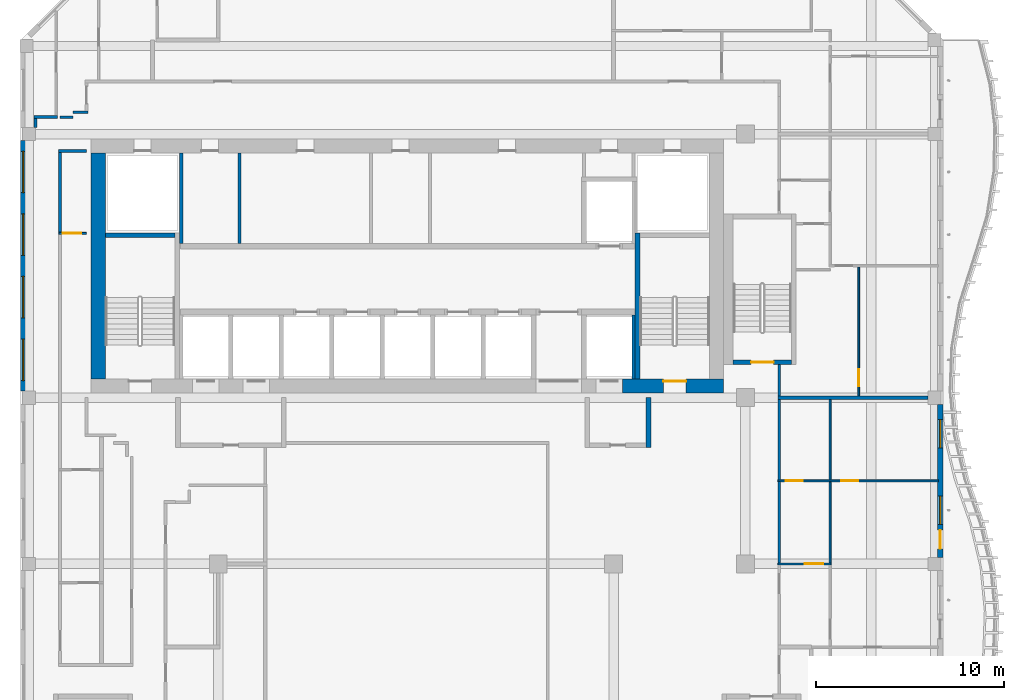
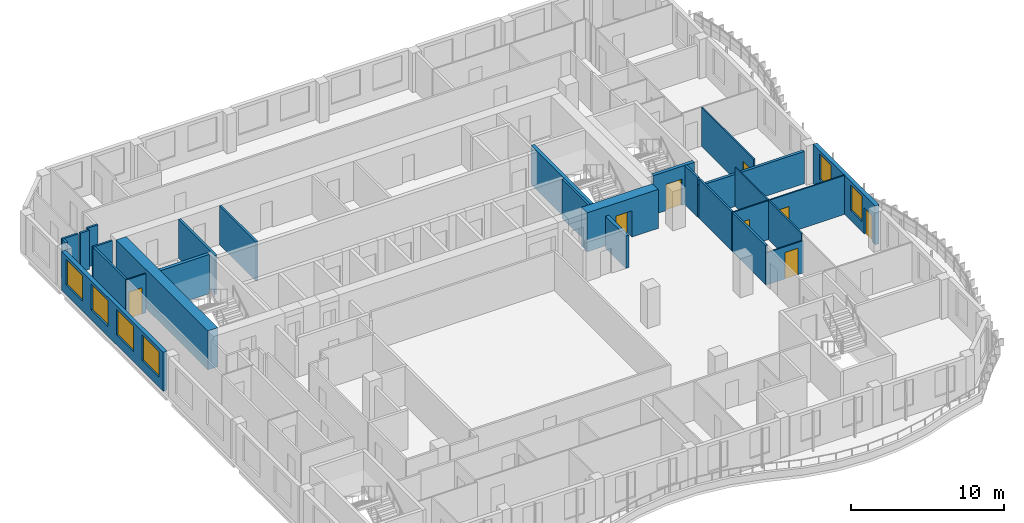
# One storey, part 6 of 19: 27 walls, 8 doors, 6 windows, 14 openings.
"""IFC4 building model written with IfcOpenShell, lengths in metres."""

import ifcopenshell
import ifcopenshell.guid

model = None  # the IFC model being written
_history = None  # IfcOwnerHistory: only IFC2X3 demands one
_inside = {}  # id of a spatial element -> (the spatial element, [elements in it])
_under = {}  # id of a project, library or spatial element -> (it, [spatial elements below it])
_declared = {}  # id of a project -> (the project, [libraries it declares])
_typed = {}  # id of a type object -> (the type object, [elements of that type])
_made_of = {}  # id of a material, layer set ... -> (it, [elements and type objects made of it])


def new_model(schema):
    """Start an empty IFC model of exactly this schema.

    Asked for "IFC4X3", IfcOpenShell would pick the latest addendum, in which some entities
    have other attributes; the version numbers below select the first issue.
    IFC2X3 requires an IfcOwnerHistory on every rooted entity: one is made here for all.
    """
    global model, _history
    if schema == "IFC4X3":
        model = ifcopenshell.file(schema_version=(4, 3, 0, 0))
    else:
        model = ifcopenshell.file(schema=schema)
    _inside.clear()
    _under.clear()
    _declared.clear()
    _typed.clear()
    _made_of.clear()
    _history = None
    if model.schema == "IFC2X3":
        org = make("IfcOrganization", Name="unknown")
        user = make(
            "IfcPersonAndOrganization",
            ThePerson=make("IfcPerson", FamilyName="unknown"),
            TheOrganization=org,
        )
        app = make(
            "IfcApplication",
            ApplicationDeveloper=org,
            Version="unknown",
            ApplicationFullName="unknown",
            ApplicationIdentifier="unknown",
        )
        _history = make(
            "IfcOwnerHistory",
            OwningUser=user,
            OwningApplication=app,
            ChangeAction="ADDED",
            CreationDate=0,
        )
    return model


def make(cls, **values):
    """One entity of the class cls with the attributes given. An attribute that is None is left unset."""
    return model.create_entity(
        cls, **{name: value for name, value in values.items() if value is not None}
    )


def rooted(cls, **values):
    """An entity with a GlobalId (a new one), such as an element, a storey or a relation."""
    return make(cls, GlobalId=ifcopenshell.guid.new(), OwnerHistory=_history, **values)


def si_unit(unit_type, name, prefix=None):
    """IfcSIUnit, for example si_unit("LENGTHUNIT", "METRE", prefix="MILLI")."""
    return make("IfcSIUnit", UnitType=unit_type, Prefix=prefix, Name=name)


def assignment(units):
    """IfcUnitAssignment: the units of a project."""
    return None if units is None else make("IfcUnitAssignment", Units=units)


def point(xyz):
    """IfcCartesianPoint."""
    return None if xyz is None else make("IfcCartesianPoint", Coordinates=xyz)


def direction(xyz):
    """IfcDirection."""
    return None if xyz is None else make("IfcDirection", DirectionRatios=xyz)


def frame(location, z_axis=None, x_axis=None):
    """IfcAxis2Placement3D, a coordinate frame: its origin and axes. An axis left out is left unset."""
    return make(
        "IfcAxis2Placement3D",
        Location=point(location),
        Axis=direction(z_axis),
        RefDirection=direction(x_axis),
    )


def frame_2d(location, x_axis=None):
    """IfcAxis2Placement2D, a coordinate frame in the plane: its origin and x axis."""
    return make(
        "IfcAxis2Placement2D", Location=point(location), RefDirection=direction(x_axis)
    )


def origin():
    """The frame at (0, 0, 0) with its axes left unset."""
    return frame((0.0, 0.0, 0.0))


def place(relative_to, where):
    """IfcLocalPlacement: puts the frame where relative to a parent placement (None: the world)."""
    return make(
        "IfcLocalPlacement", PlacementRelTo=relative_to, RelativePlacement=where
    )


def context(
    kind, dimensions, precision=None, world=None, true_north=None, identifier=None
):
    """IfcGeometricRepresentationContext, for example the 3D "Model" context."""
    return make(
        "IfcGeometricRepresentationContext",
        ContextIdentifier=identifier,
        ContextType=kind,
        CoordinateSpaceDimension=dimensions,
        Precision=precision,
        WorldCoordinateSystem=world,
        TrueNorth=true_north,
    )


def subcontext(parent, identifier, kind, view, scale=None):
    """IfcGeometricRepresentationSubContext, for example "Body" below "Model"."""
    return make(
        "IfcGeometricRepresentationSubContext",
        ContextIdentifier=identifier,
        ContextType=kind,
        ParentContext=parent,
        TargetScale=scale,
        TargetView=view,
    )


def project(units=None, contexts=None):
    """IfcProject with its units and contexts."""
    return rooted(
        "IfcProject",
        Name="project",
        RepresentationContexts=contexts,
        UnitsInContext=assignment(units),
    )


def spatial(cls, under=None, at=None, **own):
    """A site, building, storey or space (cls), placed at a placement, below another one or the project."""
    s = rooted(cls, ObjectPlacement=at, **own)
    if under is not None:
        _under.setdefault(under.id(), (under, []))[1].append(s)
    return s


def profile(cls, at=None, kind="AREA", **sizes):
    """A parametric profile (cls). Its sizes go by their IFC names, for example OverallWidth=200.0."""
    return make(cls, ProfileType=kind, Position=at, **sizes)


def rectangle(**sizes):
    """IfcRectangleProfileDef."""
    return profile("IfcRectangleProfileDef", **sizes)


def extrude(swept, where, along, depth):
    """IfcExtrudedAreaSolid: the profile swept, set in the frame where, extruded along a direction by depth."""
    return make(
        "IfcExtrudedAreaSolid",
        SweptArea=swept,
        Position=where,
        ExtrudedDirection=direction(along),
        Depth=depth,
    )


def shape(context_of_items, identifier, shape_type, items):
    """IfcShapeRepresentation: the items that make up one representation, for example the "Body"."""
    return make(
        "IfcShapeRepresentation",
        ContextOfItems=context_of_items,
        RepresentationIdentifier=identifier,
        RepresentationType=shape_type,
        Items=items,
    )


def source(mapping_origin, context_of_items, identifier, shape_type, items):
    """IfcRepresentationMap: a shape defined once, which mapped items show again and again."""
    return make(
        "IfcRepresentationMap",
        MappingOrigin=mapping_origin,
        MappedRepresentation=shape(context_of_items, identifier, shape_type, items),
    )


def transform(
    local_origin,
    x_axis=None,
    y_axis=None,
    z_axis=None,
    scale=None,
    scale2=None,
    scale3=None,
    uniform=True,
):
    """IfcCartesianTransformationOperator3D, or its non-uniform kind. x_axis, y_axis, z_axis: its Axis1, 2, 3."""
    if uniform:
        return make(
            "IfcCartesianTransformationOperator3D",
            Axis1=direction(x_axis),
            Axis2=direction(y_axis),
            LocalOrigin=point(local_origin),
            Scale=scale,
            Axis3=direction(z_axis),
        )
    return make(
        "IfcCartesianTransformationOperator3DnonUniform",
        Axis1=direction(x_axis),
        Axis2=direction(y_axis),
        LocalOrigin=point(local_origin),
        Scale=scale,
        Axis3=direction(z_axis),
        Scale2=scale2,
        Scale3=scale3,
    )


def mapped(mapping_source, mapping_target):
    """IfcMappedItem: shows the shape of a source again, moved by a transform."""
    return make(
        "IfcMappedItem", MappingSource=mapping_source, MappingTarget=mapping_target
    )


def material(Name=None, Category=None):
    """IfcMaterial."""
    return make("IfcMaterial", Name=Name, Category=Category)


def layer(
    of_material, thickness, ventilated=None, Name=None, Category=None, Priority=None
):
    """IfcMaterialLayer: one layer of a wall or slab, of a material (None: an air gap)."""
    return make(
        "IfcMaterialLayer",
        Material=of_material,
        LayerThickness=thickness,
        IsVentilated=ventilated,
        Name=Name,
        Category=Category,
        Priority=Priority,
    )


def layer_set(layers, Name=None):
    """IfcMaterialLayerSet."""
    return make("IfcMaterialLayerSet", MaterialLayers=layers, LayerSetName=Name)


def made_of(thing, what):
    """Note that an element or type object is made of a material, layer set ...; save() writes the relation."""
    if what is not None:
        _made_of.setdefault(what.id(), (what, []))[1].append(thing)
    return thing


def type_object(cls, material=None, **own):
    """A type object (cls), such as IfcWallType, which elements share."""
    return made_of(rooted(cls, **own), material)


def element(
    cls,
    number,
    at=None,
    inside=None,
    cuts=None,
    type_object=None,
    material=None,
    context=None,
    identifier="Body",
    shape_type=None,
    held_by="IfcProductDefinitionShape",
    body=None,
    shapes=None,
    **own,
):
    """One element of the class cls, such as IfcWall. Its Tag is "e" and its number.

    at: its placement. inside: the storey or other place that contains it. cuts: it is an
    opening in that element (IfcRelVoidsElement). A single representation is given by context,
    identifier, shape_type and body (its items); several are given by shapes. held_by: the class
    of the entity that holds the representations. save() writes the other relations.
    """
    e = rooted(cls, Tag="e%d" % number, ObjectPlacement=at, **own)
    if body is not None:
        shapes = [shape(context, identifier, shape_type, body)]
    if shapes is not None:
        e.Representation = make(held_by, Representations=shapes)
    if inside is not None:
        _inside.setdefault(inside.id(), (inside, []))[1].append(e)
    if cuts is not None:
        rooted(
            "IfcRelVoidsElement", RelatingBuildingElement=cuts, RelatedOpeningElement=e
        )
    if type_object is not None:
        _typed.setdefault(type_object.id(), (type_object, []))[1].append(e)
    return made_of(e, material)


def fill(opening, filler):
    """IfcRelFillsElement: the door or window that sits in an opening."""
    return rooted(
        "IfcRelFillsElement",
        RelatingOpeningElement=opening,
        RelatedBuildingElement=filler,
    )


def aggregate(whole, parts):
    """IfcRelAggregates: a whole, such as a stair, and the parts it consists of."""
    return rooted("IfcRelAggregates", RelatingObject=whole, RelatedObjects=parts)


def save(model, path):
    """Write the relations noted so far, then the file.

    IfcRelAggregates (storeys below a building ...), IfcRelContainedInSpatialStructure (elements
    in a storey), IfcRelDefinesByType, IfcRelAssociatesMaterial and IfcRelDeclares: one each for
    every whole, place, type object, material and project.
    """
    for whole, parts in _under.values():
        aggregate(whole, parts)
    for where, things in _inside.values():
        rooted(
            "IfcRelContainedInSpatialStructure",
            RelatedElements=things,
            RelatingStructure=where,
        )
    for kind, things in _typed.values():
        rooted("IfcRelDefinesByType", RelatedObjects=things, RelatingType=kind)
    for what, things in _made_of.values():
        rooted("IfcRelAssociatesMaterial", RelatedObjects=things, RelatingMaterial=what)
    for by, libraries in _declared.values():
        rooted("IfcRelDeclares", RelatingContext=by, RelatedDefinitions=libraries)
    model.write(path)


model = new_model("IFC4")

# Units and contexts
model_context = context("Model", 3, precision=1e-05, world=origin(), true_north=direction((0.0, 1.0)))
body_context = subcontext(model_context, "Body", "Model", "MODEL_VIEW")
ifc_project = project(units=[si_unit("LENGTHUNIT", "METRE"), si_unit("AREAUNIT", "SQUARE_METRE"), si_unit("VOLUMEUNIT", "CUBIC_METRE"), si_unit("PLANEANGLEUNIT", "RADIAN"), si_unit("MASSUNIT", "GRAM", prefix="KILO")], contexts=[model_context])

# Site, building, storey
site_placement = place(None, origin())
site = spatial("IfcSite", under=ifc_project, at=site_placement, CompositionType="ELEMENT")
building_placement = place(site_placement, origin())
building = spatial("IfcBuilding", under=site, at=building_placement, Name="Kilnfold Tower and Market Hall", CompositionType="ELEMENT")
storey_placement = place(building_placement, frame((0.0, 0.0, 245.800048828125)))
storey = spatial("IfcBuildingStorey", under=building, at=storey_placement, Name="L59", CompositionType="ELEMENT", Elevation=245.800048828125)

# Walls
ifc_material_1 = material(Name="Gypsum board on steel studs", Category="steel")
ifc_layer_1 = layer(ifc_material_1, 0.14990234375)
ifc_layer_set_1 = layer_set([ifc_layer_1], Name="Gypsum board on steel studs")
wall_type_1 = type_object("IfcWallType", Name="WALL CORRIDOR 150", PredefinedType="PARTITIONING", material=ifc_layer_set_1)
wall_1_placement = place(storey_placement, frame((-17.47509765625, 21.10009765625, 0.0), z_axis=(0.0, 0.0, 1.0), x_axis=(1.0, 0.0, 0.0)))
element("IfcWall", 1, at=wall_1_placement, inside=storey, type_object=wall_type_1, Name="Partition LY36.7", PredefinedType="PARTITIONING", context=body_context, shape_type="SweptSolid", body=[
    extrude(rectangle(XDim=1.47509765625, YDim=0.14990234375, at=frame_2d((0.737548828125, 0.0))), origin(), (0.0, 0.0, 1.0), 3.119873046875),
])
wall_2_placement = place(storey_placement, frame((-17.39990234375, 16.77099609375, 0.0), z_axis=(0.0, 0.0, 1.0), x_axis=(0.0, 1.0, 0.0)))
element("IfcWall", 2, at=wall_2_placement, inside=storey, type_object=wall_type_1, Name="Partition LY36.8", PredefinedType="PARTITIONING", context=body_context, shape_type="SweptSolid", body=[
    extrude(rectangle(XDim=4.25390625, YDim=0.14990234375, at=frame_2d((2.126953125, 0.0))), origin(), (0.0, 0.0, 1.0), 3.119873046875),
])
wall_3_placement = place(storey_placement, frame((20.800048828125, -0.79296875, 0.0), z_axis=(0.0, 0.0, 1.0), x_axis=(0.0, 1.0, 0.0)))
element("IfcWall", 3, at=wall_3_placement, inside=storey, type_object=wall_type_1, Name="Partition LY36.14", PredefinedType="PARTITIONING", context=body_context, shape_type="SweptSolid", body=[
    extrude(rectangle(XDim=4.3359375, YDim=0.14990234375, at=frame_2d((2.16796875, 0.0))), origin(), (0.0, 0.0, 1.0), 3.119873046875),
])
wall_4_placement = place(storey_placement, frame((20.800048828125, 3.623046875, 0.0), z_axis=(0.0, 0.0, 1.0), x_axis=(0.0, 1.0, 0.0)))
element("IfcWall", 4, at=wall_4_placement, inside=storey, type_object=wall_type_1, Name="Partition LY36.15", PredefinedType="PARTITIONING", context=body_context, shape_type="SweptSolid", body=[
    extrude(rectangle(XDim=4.286865234375, YDim=0.14990234375, at=frame_2d((2.1435546875, 0.0))), origin(), (0.0, 0.0, 1.0), 3.119873046875),
])
wall_5_placement = place(storey_placement, frame((20.800048828125, 8.090087890625, 0.0), z_axis=(0.0, 0.0, 1.0), x_axis=(0.0, 1.0, 0.0)))
element("IfcWall", 5, at=wall_5_placement, inside=storey, type_object=wall_type_1, Name="Partition LY36.16", PredefinedType="PARTITIONING", context=body_context, shape_type="SweptSolid", body=[
    extrude(rectangle(XDim=1.659912109375, YDim=0.14990234375, at=frame_2d((0.830078125, 0.0))), origin(), (0.0, 0.0, 1.0), 3.119873046875),
])
wall_6_placement = place(storey_placement, frame((-17.550048828125, 22.902099609375, 0.0), z_axis=(0.0, 0.0, 1.0), x_axis=(-1.0, 0.0, 0.0)))
element("IfcWall", 6, at=wall_6_placement, inside=storey, type_object=wall_type_1, Name="Partition LY36.22", PredefinedType="PARTITIONING", context=body_context, shape_type="SweptSolid", body=[
    extrude(rectangle(XDim=1.22705078125, YDim=0.14990234375, at=frame_2d((0.613525390625, 0.0))), origin(), (0.0, 0.0, 1.0), 3.119873046875),
])
wall_7_placement = place(storey_placement, frame((-18.701904296875, 22.826904296875, 0.0), z_axis=(0.0, 0.0, 1.0), x_axis=(0.0, -1.0, 0.0)))
element("IfcWall", 7, at=wall_7_placement, inside=storey, type_object=wall_type_1, Name="Partition LY36.23", PredefinedType="PARTITIONING", context=body_context, shape_type="SweptSolid", body=[
    extrude(rectangle(XDim=0.476806640625, YDim=0.14990234375, at=frame_2d((0.23828125, 0.0))), origin(), (0.0, 0.0, 1.0), 3.119873046875),
])
wall_8_placement = place(storey_placement, frame((-16.7119140625, 22.89990234375, 0.0), z_axis=(0.0, 0.0, 1.0), x_axis=(-1.0, 0.0, 0.0)))
element("IfcWall", 8, at=wall_8_placement, inside=storey, type_object=wall_type_1, Name="Partition LY36.24", PredefinedType="PARTITIONING", context=body_context, shape_type="SweptSolid", body=[
    extrude(rectangle(XDim=0.68603515625, YDim=0.14990234375, at=frame_2d((0.343017578125, 0.0))), origin(), (0.0, 0.0, 1.0), 3.119873046875),
])
wall_9_placement = place(storey_placement, frame((-15.925048828125, 23.1630859375, 0.0), z_axis=(0.0, 0.0, 1.0), x_axis=(-1.0, 0.0, 0.0)))
element("IfcWall", 9, at=wall_9_placement, inside=storey, type_object=wall_type_1, Name="Partition LY36.25", PredefinedType="PARTITIONING", context=body_context, shape_type="SweptSolid", body=[
    extrude(rectangle(XDim=0.786865234375, YDim=0.14990234375, at=frame_2d((0.3935546875, 0.0))), origin(), (0.0, 0.0, 1.0), 3.119873046875),
])

# Wall, opening, door
ifc_material_2 = material(Name="Gypsum board on steel studs", Category="steel")
ifc_layer_2 = layer(ifc_material_2, 0.10009765625)
ifc_layer_set_2 = layer_set([ifc_layer_2], Name="Gypsum board on steel studs")
wall_type_2 = type_object("IfcWallType", Name="WALL PARTITION 100", PredefinedType="PARTITIONING", material=ifc_layer_set_2)
wall_10_placement = place(storey_placement, frame((-16.0, 16.73095703125, 0.0), z_axis=(0.0, 0.0, 1.0), x_axis=(-1.0, 0.0, 0.0)))
wall_10 = element("IfcWall", 10, at=wall_10_placement, inside=storey, type_object=wall_type_2, Name="Partition LY36.48", PredefinedType="PARTITIONING", context=body_context, shape_type="SweptSolid", body=[
    extrude(rectangle(XDim=1.472900390625, YDim=0.10009765625, at=frame_2d((0.736328125, 0.0))), origin(), (0.0, 0.0, 1.0), 3.119873046875),
])
opening_1_placement = place(wall_10_placement, frame((0.27294921875, 0.0, 0.0)))
opening_1 = element("IfcOpeningElement", 11, at=opening_1_placement, cuts=wall_10, Name="Opening D1", PredefinedType="OPENING", context=body_context, shape_type="SweptSolid", body=[
    extrude(rectangle(XDim=1.0, YDim=2.10009765625, at=frame_2d((0.5, 1.050048828125))), frame((0.0, 0.06005859375, 0.0), z_axis=(0.0, -1.0, 0.0), x_axis=(1.0, 0.0, 0.0)), (0.0, 0.0, 1.0), 0.1201171875),
])
ifc_material_3 = material(Name="Timber veneer door leaf in steel frame", Category="steel")
door_type_1 = type_object("IfcDoorType", Name="DOOR ENTRY 1000 X2100", OperationType="NOTDEFINED", PredefinedType="DOOR", material=ifc_material_3)
door_1_placement = place(opening_1_placement, origin())
door_1 = element("IfcDoor", 12, at=door_1_placement, inside=storey, type_object=door_type_1, Name="Door D1", OperationType="SINGLE_SWING_RIGHT", OverallHeight=2.10009765625, OverallWidth=1.0, PredefinedType="DOOR", context=body_context, shape_type="SweptSolid", body=[
    extrude(rectangle(XDim=1.0, YDim=2.10009765625, at=frame_2d((0.5, 1.050048828125))), frame((0.0, 0.02490234375, 0.0), z_axis=(0.0, -1.0, 0.0), x_axis=(1.0, 0.0, 0.0)), (0.0, 0.0, 1.0), 0.050048828125),
])
fill(opening_1, door_1)

wall_11_placement = place(storey_placement, frame((23.550048828125, -0.8330078125, 0.0), z_axis=(0.0, 0.0, 1.0), x_axis=(-1.0, 0.0, 0.0)))
wall_11 = element("IfcWall", 13, at=wall_11_placement, inside=storey, type_object=wall_type_2, Name="Partition LY36.70", PredefinedType="PARTITIONING", context=body_context, shape_type="SweptSolid", body=[
    extrude(rectangle(XDim=2.822998046875, YDim=0.10009765625, at=frame_2d((1.41162109375, 0.0))), origin(), (0.0, 0.0, 1.0), 2.570068359375),
])
opening_2_placement = place(wall_11_placement, frame((0.403076171875, 0.0, 0.0)))
opening_2 = element("IfcOpeningElement", 14, at=opening_2_placement, cuts=wall_11, Name="Opening D1", PredefinedType="OPENING", context=body_context, shape_type="SweptSolid", body=[
    extrude(rectangle(XDim=1.0, YDim=2.10009765625, at=frame_2d((0.5, 1.050048828125))), frame((0.0, 0.06005859375, 0.0), z_axis=(0.0, -1.0, 0.0), x_axis=(1.0, 0.0, 0.0)), (0.0, 0.0, 1.0), 0.1201171875),
])
door_2_placement = place(opening_2_placement, origin())
door_2 = element("IfcDoor", 15, at=door_2_placement, inside=storey, type_object=door_type_1, Name="Door D1", OperationType="SINGLE_SWING_LEFT", OverallHeight=2.10009765625, OverallWidth=1.0, PredefinedType="DOOR", context=body_context, shape_type="SweptSolid", body=[
    extrude(rectangle(XDim=1.0, YDim=2.10009765625, at=frame_2d((0.5, 1.050048828125))), frame((0.0, 0.02490234375, 0.0), z_axis=(0.0, -1.0, 0.0), x_axis=(1.0, 0.0, 0.0)), (0.0, 0.0, 1.0), 0.050048828125),
])
fill(opening_2, door_2)

# Wall, openings, doors
wall_12_placement = place(storey_placement, frame((20.72705078125, 3.5830078125, 0.0), z_axis=(0.0, 0.0, 1.0), x_axis=(1.0, 0.0, 0.0)))
wall_12 = element("IfcWall", 16, at=wall_12_placement, inside=storey, type_object=wall_type_2, Name="Partition LY36.72", PredefinedType="PARTITIONING", context=body_context, shape_type="SweptSolid", body=[
    extrude(rectangle(XDim=8.52294921875, YDim=0.10009765625, at=frame_2d((4.261474609375, 0.0))), origin(), (0.0, 0.0, 1.0), 3.119873046875),
])
opening_3_placement = place(wall_12_placement, frame((0.409912109375, 0.0, 0.0)))
opening_3 = element("IfcOpeningElement", 17, at=opening_3_placement, cuts=wall_12, Name="Opening D2", PredefinedType="OPENING", context=body_context, shape_type="SweptSolid", body=[
    extrude(rectangle(XDim=0.89990234375, YDim=2.10009765625, at=frame_2d((0.449951171875, 1.050048828125))), frame((0.0, 0.06005859375, 0.0), z_axis=(0.0, -1.0, 0.0), x_axis=(1.0, 0.0, 0.0)), (0.0, 0.0, 1.0), 0.1201171875),
])
opening_4_placement = place(wall_12_placement, frame((3.37890625, 0.0, 0.0)))
opening_4 = element("IfcOpeningElement", 18, at=opening_4_placement, cuts=wall_12, Name="Opening D2", PredefinedType="OPENING", context=body_context, shape_type="SweptSolid", body=[
    extrude(rectangle(XDim=0.89990234375, YDim=2.10009765625, at=frame_2d((0.449951171875, 1.050048828125))), frame((0.0, 0.06005859375, 0.0), z_axis=(0.0, -1.0, 0.0), x_axis=(1.0, 0.0, 0.0)), (0.0, 0.0, 1.0), 0.1201171875),
])
ifc_material_4 = material(Name="Timber veneer door leaf in steel frame", Category="steel")
door_type_2 = type_object("IfcDoorType", Name="DOOR ROOM 900 X2100", OperationType="NOTDEFINED", PredefinedType="DOOR", material=ifc_material_4)
door_3_placement = place(opening_3_placement, origin())
door_3 = element("IfcDoor", 19, at=door_3_placement, inside=storey, type_object=door_type_2, Name="Door D2", OperationType="SINGLE_SWING_LEFT", OverallHeight=2.10009765625, OverallWidth=0.89990234375, PredefinedType="DOOR", context=body_context, shape_type="SweptSolid", body=[
    extrude(rectangle(XDim=0.89990234375, YDim=2.10009765625, at=frame_2d((0.449951171875, 1.050048828125))), frame((0.0, 0.02490234375, 0.0), z_axis=(0.0, -1.0, 0.0), x_axis=(1.0, 0.0, 0.0)), (0.0, 0.0, 1.0), 0.050048828125),
])
fill(opening_3, door_3)
door_4_placement = place(opening_4_placement, origin())
door_4 = element("IfcDoor", 20, at=door_4_placement, inside=storey, type_object=door_type_2, Name="Door D2", OperationType="SINGLE_SWING_LEFT", OverallHeight=2.10009765625, OverallWidth=0.89990234375, PredefinedType="DOOR", context=body_context, shape_type="SweptSolid", body=[
    extrude(rectangle(XDim=0.89990234375, YDim=2.10009765625, at=frame_2d((0.449951171875, 1.050048828125))), frame((0.0, 0.02490234375, 0.0), z_axis=(0.0, -1.0, 0.0), x_axis=(1.0, 0.0, 0.0)), (0.0, 0.0, 1.0), 0.050048828125),
])
fill(opening_4, door_4)

# Walls
wall_13_placement = place(storey_placement, frame((23.5, -0.782958984375, 0.0), z_axis=(0.0, 0.0, 1.0), x_axis=(0.0, 1.0, 0.0)))
element("IfcWall", 21, at=wall_13_placement, inside=storey, type_object=wall_type_2, Name="Partition LY36.73", PredefinedType="PARTITIONING", context=body_context, shape_type="SweptSolid", body=[
    extrude(rectangle(XDim=4.31591796875, YDim=0.10009765625, at=frame_2d((2.157958984375, 0.0))), origin(), (0.0, 0.0, 1.0), 3.119873046875),
])
wall_14_placement = place(storey_placement, frame((23.5, 3.633056640625, 0.0), z_axis=(0.0, 0.0, 1.0), x_axis=(0.0, 1.0, 0.0)))
element("IfcWall", 22, at=wall_14_placement, inside=storey, type_object=wall_type_2, Name="Partition LY36.74", PredefinedType="PARTITIONING", context=body_context, shape_type="SweptSolid", body=[
    extrude(rectangle(XDim=4.266845703125, YDim=0.10009765625, at=frame_2d((2.13330078125, 0.0))), origin(), (0.0, 0.0, 1.0), 3.119873046875),
])

# Wall, opening, door
wall_15_placement = place(storey_placement, frame((25.02587890625, 8.10009765625, 0.0), z_axis=(0.0, 0.0, 1.0), x_axis=(0.0, 1.0, 0.0)))
wall_15 = element("IfcWall", 23, at=wall_15_placement, inside=storey, type_object=wall_type_2, Name="Partition LY36.76", PredefinedType="PARTITIONING", context=body_context, shape_type="SweptSolid", body=[
    extrude(rectangle(XDim=6.849853515625, YDim=0.10009765625, at=frame_2d((3.4248046875, 0.0))), origin(), (0.0, 0.0, 1.0), 3.119873046875),
])
opening_5_placement = place(wall_15_placement, frame((0.5029296875, 0.0, 0.0)))
opening_5 = element("IfcOpeningElement", 24, at=opening_5_placement, cuts=wall_15, Name="Opening D2", PredefinedType="OPENING", context=body_context, shape_type="SweptSolid", body=[
    extrude(rectangle(XDim=0.89990234375, YDim=2.10009765625, at=frame_2d((0.449951171875, 1.050048828125))), frame((0.0, 0.06005859375, 0.0), z_axis=(0.0, -1.0, 0.0), x_axis=(1.0, 0.0, 0.0)), (0.0, 0.0, 1.0), 0.1201171875),
])
door_5_placement = place(opening_5_placement, origin())
door_5 = element("IfcDoor", 25, at=door_5_placement, inside=storey, type_object=door_type_2, Name="Door D2", OperationType="SINGLE_SWING_RIGHT", OverallHeight=2.10009765625, OverallWidth=0.89990234375, PredefinedType="DOOR", context=body_context, shape_type="SweptSolid", body=[
    extrude(rectangle(XDim=0.89990234375, YDim=2.10009765625, at=frame_2d((0.449951171875, 1.050048828125))), frame((0.0, 0.02490234375, 0.0), z_axis=(0.0, -1.0, 0.0), x_axis=(1.0, 0.0, 0.0)), (0.0, 0.0, 1.0), 0.050048828125),
])
fill(opening_5, door_5)

# Walls
ifc_material_5 = material(Name="Gypsum board on steel studs", Category="steel")
ifc_layer_3 = layer(ifc_material_5, 0.199951171875)
ifc_layer_set_3 = layer_set([ifc_layer_3], Name="Gypsum board on steel studs")
wall_type_3 = type_object("IfcWallType", Name="WALL PARTY 200", PredefinedType="PARTITIONING", material=ifc_layer_set_3)
wall_16_placement = place(storey_placement, frame((20.72705078125, 8.0, 0.0), z_axis=(0.0, 0.0, 1.0), x_axis=(1.0, 0.0, 0.0)))
element("IfcWall", 26, at=wall_16_placement, inside=storey, type_object=wall_type_3, Name="Partition LY36.75", PredefinedType="PARTITIONING", context=body_context, shape_type="SweptSolid", body=[
    extrude(rectangle(XDim=7.972900390625, YDim=0.199951171875, at=frame_2d((3.986328125, 0.0))), origin(), (0.0, 0.0, 1.0), 2.570068359375),
])
ifc_material_6 = material(Name="Concrete C60", Category="concrete")
ifc_layer_4 = layer(ifc_material_6, 0.25)
ifc_layer_set_4 = layer_set([ifc_layer_4], Name="Concrete C60")
wall_type_4 = type_object("IfcWallType", Name="CORE WALL 250 C60", PredefinedType="SHEAR", material=ifc_layer_set_4)
shared_shape_1 = source(origin(), body_context, "Body", "SweptSolid", [
    extrude(rectangle(XDim=7.75, YDim=0.25, at=frame_2d((3.875, 0.0))), origin(), (0.0, 0.0, 1.0), 3.119873046875),
])
wall_17_placement = place(storey_placement, frame((13.27490234375, 9.0, 0.0), z_axis=(0.0, 0.0, 1.0), x_axis=(0.0, 1.0, 0.0)))
element("IfcWall", 27, at=wall_17_placement, inside=storey, type_object=wall_type_4, Name="Stair enclosure ST2", PredefinedType="SHEAR", context=body_context, shape_type="MappedRepresentation", body=[
    mapped(shared_shape_1, transform((0.0, 0.0, 0.0))),
])
shared_shape_2 = source(origin(), body_context, "Body", "SweptSolid", [
    extrude(rectangle(XDim=3.699951171875, YDim=0.25, at=frame_2d((1.85009765625, 0.0))), origin(), (0.0, 0.0, 1.0), 3.119873046875),
])
wall_18_placement = place(storey_placement, frame((-15.0, 16.625, 0.0), z_axis=(0.0, 0.0, 1.0), x_axis=(1.0, 0.0, 0.0)))
element("IfcWall", 28, at=wall_18_placement, inside=storey, type_object=wall_type_4, Name="Stair enclosure ST1", PredefinedType="SHEAR", context=body_context, shape_type="MappedRepresentation", body=[
    mapped(shared_shape_2, transform((0.0, 0.0, 0.0))),
])

# Wall, opening, door
shared_shape_3 = source(origin(), body_context, "Body", "SweptSolid", [
    extrude(rectangle(XDim=3.099853515625, YDim=0.25, at=frame_2d((1.5498046875, 0.0))), origin(), (0.0, 0.0, 1.0), 3.119873046875),
])
wall_19_placement = place(storey_placement, frame((18.35009765625, 9.875, 0.0), z_axis=(0.0, 0.0, 1.0), x_axis=(1.0, 0.0, 0.0)))
wall_19 = element("IfcWall", 29, at=wall_19_placement, inside=storey, type_object=wall_type_4, Name="Stair enclosure ST5", PredefinedType="SHEAR", context=body_context, shape_type="MappedRepresentation", body=[
    mapped(shared_shape_3, transform((0.0, 0.0, 0.0))),
])
opening_6_placement = place(wall_19_placement, frame((0.949951171875, 0.0, 0.0)))
opening_6 = element("IfcOpeningElement", 30, at=opening_6_placement, cuts=wall_19, Name="Opening SD1", PredefinedType="OPENING", context=body_context, shape_type="SweptSolid", body=[
    extrude(rectangle(XDim=1.199951171875, YDim=2.10009765625, at=frame_2d((0.60009765625, 1.050048828125))), frame((0.0, 0.135009765625, 0.0), z_axis=(0.0, -1.0, 0.0), x_axis=(1.0, 0.0, 0.0)), (0.0, 0.0, 1.0), 0.27001953125),
])
ifc_material_7 = material(Name="Steel door set with fire-resisting leaf", Category="steel")
door_type_3 = type_object("IfcDoorType", Name="STAIR FLOOR DOOR 1200X2100", OperationType="NOTDEFINED", PredefinedType="DOOR", material=ifc_material_7)
door_6_placement = place(opening_6_placement, origin())
door_6 = element("IfcDoor", 31, at=door_6_placement, inside=storey, type_object=door_type_3, Name="Exit stair ST5 door", OperationType="DOUBLE_DOOR_SINGLE_SWING", OverallHeight=2.10009765625, OverallWidth=1.199951171875, PredefinedType="DOOR", context=body_context, shape_type="SweptSolid", body=[
    extrude(rectangle(XDim=1.199951171875, YDim=2.10009765625, at=frame_2d((0.60009765625, 1.050048828125))), frame((0.0, 0.02490234375, 0.0), z_axis=(0.0, -1.0, 0.0), x_axis=(1.0, 0.0, 0.0)), (0.0, 0.0, 1.0), 0.050048828125),
])
fill(opening_6, door_6)

ifc_material_8 = material(Name="Concrete C60", Category="concrete")
ifc_layer_5 = layer(ifc_material_8, 0.75)
ifc_layer_set_5 = layer_set([ifc_layer_5], Name="Concrete C60")
wall_type_5 = type_object("IfcWallType", Name="CORE WALL 750 C60", PredefinedType="SHEAR", material=ifc_layer_set_5)
shared_shape_4 = source(origin(), body_context, "Body", "SweptSolid", [
    extrude(rectangle(XDim=5.380126953125, YDim=0.75, at=frame_2d((2.68994140625, 0.0))), origin(), (0.0, 0.0, 1.0), 3.119873046875),
])
wall_20_placement = place(storey_placement, frame((12.469970703125, 8.625, 0.0), z_axis=(0.0, 0.0, 1.0), x_axis=(1.0, 0.0, 0.0)))
wall_20 = element("IfcWall", 32, at=wall_20_placement, inside=storey, type_object=wall_type_5, Name="Core outer wall south", PredefinedType="SHEAR", context=body_context, shape_type="MappedRepresentation", body=[
    mapped(shared_shape_4, transform((0.0, 0.0, 0.0))),
])
opening_7_placement = place(wall_20_placement, frame((2.179931640625, 0.0, 0.0)))
opening_7 = element("IfcOpeningElement", 33, at=opening_7_placement, cuts=wall_20, Name="Opening SD1", PredefinedType="OPENING", context=body_context, shape_type="SweptSolid", body=[
    extrude(rectangle(XDim=1.199951171875, YDim=2.10009765625, at=frame_2d((0.60009765625, 1.050048828125))), frame((0.0, 0.385009765625, 0.0), z_axis=(0.0, -1.0, 0.0), x_axis=(1.0, 0.0, 0.0)), (0.0, 0.0, 1.0), 0.77001953125),
])
door_7_placement = place(opening_7_placement, origin())
door_7 = element("IfcDoor", 34, at=door_7_placement, inside=storey, type_object=door_type_3, Name="Exit stair ST2 door", OperationType="DOUBLE_DOOR_SINGLE_SWING", OverallHeight=2.10009765625, OverallWidth=1.199951171875, PredefinedType="DOOR", context=body_context, shape_type="SweptSolid", body=[
    extrude(rectangle(XDim=1.199951171875, YDim=2.10009765625, at=frame_2d((0.60009765625, 1.050048828125))), frame((0.0, 0.27978515625, 0.0), z_axis=(0.0, -1.0, 0.0), x_axis=(1.0, 0.0, 0.0)), (0.0, 0.0, 1.0), 0.050048828125),
])
fill(opening_7, door_7)

# Wall
shared_shape_5 = source(origin(), body_context, "Body", "SweptSolid", [
    extrude(rectangle(XDim=12.0, YDim=0.75, at=frame_2d((6.0, 0.0))), origin(), (0.0, 0.0, 1.0), 3.119873046875),
])
wall_21_placement = place(storey_placement, frame((-15.375, 9.0, 0.0), z_axis=(0.0, 0.0, 1.0), x_axis=(0.0, 1.0, 0.0)))
element("IfcWall", 35, at=wall_21_placement, inside=storey, type_object=wall_type_5, Name="Core outer wall west", PredefinedType="SHEAR", context=body_context, shape_type="MappedRepresentation", body=[
    mapped(shared_shape_5, transform((0.0, 0.0, 0.0))),
])

# Wall, openings, door, windows
ifc_material_9 = material(Name="Precast concrete C50/60", Category="concrete")
ifc_layer_6 = layer(ifc_material_9, 0.300048828125)
ifc_layer_set_6 = layer_set([ifc_layer_6], Name="Precast concrete C50/60")
wall_type_6 = type_object("IfcWallType", Name="PRECAST WALL 300", PredefinedType="SOLIDWALL", material=ifc_layer_set_6)
shared_shape_6 = source(origin(), body_context, "Body", "SweptSolid", [
    extrude(rectangle(XDim=8.13330078125, YDim=0.300048828125, at=frame_2d((4.066650390625, 0.0))), origin(), (0.0, 0.0, 1.0), 3.119873046875),
])
wall_22_placement = place(storey_placement, frame((29.35009765625, -0.4833984375, 0.0), z_axis=(0.0, 0.0, 1.0), x_axis=(0.0, 1.0, 0.0)))
wall_22 = element("IfcWall", 36, at=wall_22_placement, inside=storey, type_object=wall_type_6, Name="External wall L59 E", PredefinedType="SOLIDWALL", context=body_context, shape_type="MappedRepresentation", body=[
    mapped(shared_shape_6, transform((0.0, 0.0, 0.0))),
])
opening_8_placement = place(wall_22_placement, frame((1.75, 0.0, 0.800048828125)))
opening_8 = element("IfcOpeningElement", 37, at=opening_8_placement, cuts=wall_22, Name="Opening W5", PredefinedType="OPENING", context=body_context, shape_type="SweptSolid", body=[
    extrude(rectangle(XDim=1.5, YDim=2.050048828125, at=frame_2d((0.75, 1.02490234375))), frame((0.0, 0.16015625, 0.0), z_axis=(0.0, -1.0, 0.0), x_axis=(1.0, 0.0, 0.0)), (0.0, 0.0, 1.0), 0.320068359375),
])
opening_9_placement = place(wall_22_placement, frame((0.449951171875, 0.0, 0.0)))
opening_9 = element("IfcOpeningElement", 38, at=opening_9_placement, cuts=wall_22, Name="Opening BD1", PredefinedType="OPENING", context=body_context, shape_type="SweptSolid", body=[
    extrude(rectangle(XDim=1.0, YDim=2.10009765625, at=frame_2d((0.5, 1.050048828125))), frame((0.0, 0.16015625, 0.0), z_axis=(0.0, -1.0, 0.0), x_axis=(1.0, 0.0, 0.0)), (0.0, 0.0, 1.0), 0.320068359375),
])
opening_10_placement = place(wall_22_placement, frame((5.816650390625, 0.0, 0.800048828125)))
opening_10 = element("IfcOpeningElement", 39, at=opening_10_placement, cuts=wall_22, Name="Opening W5", PredefinedType="OPENING", context=body_context, shape_type="SweptSolid", body=[
    extrude(rectangle(XDim=1.5, YDim=2.050048828125, at=frame_2d((0.75, 1.02490234375))), frame((0.0, 0.16015625, 0.0), z_axis=(0.0, -1.0, 0.0), x_axis=(1.0, 0.0, 0.0)), (0.0, 0.0, 1.0), 0.320068359375),
])
ifc_material_10 = material(Name="Aluminium frame and double glazing", Category="aluminium")
door_type_4 = type_object("IfcDoorType", Name="BALCONY DOOR 1000X2100", OperationType="NOTDEFINED", PredefinedType="DOOR", material=ifc_material_10)
door_8_placement = place(opening_9_placement, origin())
door_8 = element("IfcDoor", 40, at=door_8_placement, inside=storey, type_object=door_type_4, Name="Balcony door BD1 L59 E-1", OperationType="SINGLE_SWING_LEFT", OverallHeight=2.10009765625, OverallWidth=1.0, PredefinedType="DOOR", context=body_context, shape_type="SweptSolid", body=[
    extrude(rectangle(XDim=1.0, YDim=2.10009765625, at=frame_2d((0.5, 1.050048828125))), frame((0.0, 0.02490234375, 0.0), z_axis=(0.0, -1.0, 0.0), x_axis=(1.0, 0.0, 0.0)), (0.0, 0.0, 1.0), 0.050048828125),
])
fill(opening_9, door_8)
ifc_material_11 = material(Name="Aluminium frame and double glazing", Category="aluminium")
window_type_1 = type_object("IfcWindowType", Name="WINDOW W5 1500X2050", PartitioningType="SINGLE_PANEL", PredefinedType="WINDOW", material=ifc_material_11)
window_1_placement = place(opening_8_placement, origin())
window_1 = element("IfcWindow", 41, at=window_1_placement, inside=storey, type_object=window_type_1, Name="Window W5 L59 E-1", OverallHeight=2.050048828125, OverallWidth=1.5, PartitioningType="SINGLE_PANEL", PredefinedType="WINDOW", context=body_context, shape_type="SweptSolid", body=[
    extrude(rectangle(XDim=1.5, YDim=2.050048828125, at=frame_2d((0.75, 1.02490234375))), frame((0.0, 0.030029296875, 0.0), z_axis=(0.0, -1.0, 0.0), x_axis=(1.0, 0.0, 0.0)), (0.0, 0.0, 1.0), 0.06005859375),
])
fill(opening_8, window_1)
window_2_placement = place(opening_10_placement, origin())
window_2 = element("IfcWindow", 42, at=window_2_placement, inside=storey, type_object=window_type_1, Name="Window W5 L59 E-2", OverallHeight=2.050048828125, OverallWidth=1.5, PartitioningType="SINGLE_PANEL", PredefinedType="WINDOW", context=body_context, shape_type="SweptSolid", body=[
    extrude(rectangle(XDim=1.5, YDim=2.050048828125, at=frame_2d((0.75, 1.02490234375))), frame((0.0, 0.030029296875, 0.0), z_axis=(0.0, -1.0, 0.0), x_axis=(1.0, 0.0, 0.0)), (0.0, 0.0, 1.0), 0.06005859375),
])
fill(opening_10, window_2)

# Wall, openings, windows
shared_shape_7 = source(origin(), body_context, "Body", "SweptSolid", [
    extrude(rectangle(XDim=13.2998046875, YDim=0.300048828125, at=frame_2d((6.64990234375, 0.0))), origin(), (0.0, 0.0, 1.0), 3.119873046875),
])
wall_23_placement = place(storey_placement, frame((-19.35009765625, 21.64990234375, 0.0), z_axis=(0.0, 0.0, 1.0), x_axis=(0.0, -1.0, 0.0)))
wall_23 = element("IfcWall", 43, at=wall_23_placement, inside=storey, type_object=wall_type_6, Name="External wall L59 W", PredefinedType="SOLIDWALL", context=body_context, shape_type="MappedRepresentation", body=[
    mapped(shared_shape_7, transform((0.0, 0.0, 0.0))),
])
opening_11_placement = place(wall_23_placement, frame((0.5625, 0.0, 0.800048828125)))
opening_11 = element("IfcOpeningElement", 44, at=opening_11_placement, cuts=wall_23, Name="Opening W3", PredefinedType="OPENING", context=body_context, shape_type="SweptSolid", body=[
    extrude(rectangle(XDim=2.199951171875, YDim=2.050048828125, at=frame_2d((1.10009765625, 1.02490234375))), frame((0.0, 0.16015625, 0.0), z_axis=(0.0, -1.0, 0.0), x_axis=(1.0, 0.0, 0.0)), (0.0, 0.0, 1.0), 0.320068359375),
])
opening_12_placement = place(wall_23_placement, frame((3.887451171875, 0.0, 0.800048828125)))
opening_12 = element("IfcOpeningElement", 45, at=opening_12_placement, cuts=wall_23, Name="Opening W3", PredefinedType="OPENING", context=body_context, shape_type="SweptSolid", body=[
    extrude(rectangle(XDim=2.199951171875, YDim=2.050048828125, at=frame_2d((1.10009765625, 1.02490234375))), frame((0.0, 0.16015625, 0.0), z_axis=(0.0, -1.0, 0.0), x_axis=(1.0, 0.0, 0.0)), (0.0, 0.0, 1.0), 0.320068359375),
])
opening_13_placement = place(wall_23_placement, frame((7.21240234375, 0.0, 0.800048828125)))
opening_13 = element("IfcOpeningElement", 46, at=opening_13_placement, cuts=wall_23, Name="Opening W3", PredefinedType="OPENING", context=body_context, shape_type="SweptSolid", body=[
    extrude(rectangle(XDim=2.199951171875, YDim=2.050048828125, at=frame_2d((1.10009765625, 1.02490234375))), frame((0.0, 0.16015625, 0.0), z_axis=(0.0, -1.0, 0.0), x_axis=(1.0, 0.0, 0.0)), (0.0, 0.0, 1.0), 0.320068359375),
])
opening_14_placement = place(wall_23_placement, frame((10.53759765625, 0.0, 0.800048828125)))
opening_14 = element("IfcOpeningElement", 47, at=opening_14_placement, cuts=wall_23, Name="Opening W3", PredefinedType="OPENING", context=body_context, shape_type="SweptSolid", body=[
    extrude(rectangle(XDim=2.199951171875, YDim=2.050048828125, at=frame_2d((1.10009765625, 1.02490234375))), frame((0.0, 0.16015625, 0.0), z_axis=(0.0, -1.0, 0.0), x_axis=(1.0, 0.0, 0.0)), (0.0, 0.0, 1.0), 0.320068359375),
])
ifc_material_12 = material(Name="Aluminium frame and double glazing", Category="aluminium")
window_type_2 = type_object("IfcWindowType", Name="WINDOW W3 2200X2050", PartitioningType="SINGLE_PANEL", PredefinedType="WINDOW", material=ifc_material_12)
window_3_placement = place(opening_11_placement, origin())
window_3 = element("IfcWindow", 48, at=window_3_placement, inside=storey, type_object=window_type_2, Name="Window W3 L59 W-1", OverallHeight=2.050048828125, OverallWidth=2.199951171875, PartitioningType="SINGLE_PANEL", PredefinedType="WINDOW", context=body_context, shape_type="SweptSolid", body=[
    extrude(rectangle(XDim=2.199951171875, YDim=2.050048828125, at=frame_2d((1.10009765625, 1.02490234375))), frame((0.0, 0.030029296875, 0.0), z_axis=(0.0, -1.0, 0.0), x_axis=(1.0, 0.0, 0.0)), (0.0, 0.0, 1.0), 0.06005859375),
])
fill(opening_11, window_3)
window_4_placement = place(opening_12_placement, origin())
window_4 = element("IfcWindow", 49, at=window_4_placement, inside=storey, type_object=window_type_2, Name="Window W3 L59 W-2", OverallHeight=2.050048828125, OverallWidth=2.199951171875, PartitioningType="SINGLE_PANEL", PredefinedType="WINDOW", context=body_context, shape_type="SweptSolid", body=[
    extrude(rectangle(XDim=2.199951171875, YDim=2.050048828125, at=frame_2d((1.10009765625, 1.02490234375))), frame((0.0, 0.030029296875, 0.0), z_axis=(0.0, -1.0, 0.0), x_axis=(1.0, 0.0, 0.0)), (0.0, 0.0, 1.0), 0.06005859375),
])
fill(opening_12, window_4)
window_5_placement = place(opening_13_placement, origin())
window_5 = element("IfcWindow", 50, at=window_5_placement, inside=storey, type_object=window_type_2, Name="Window W3 L59 W-3", OverallHeight=2.050048828125, OverallWidth=2.199951171875, PartitioningType="SINGLE_PANEL", PredefinedType="WINDOW", context=body_context, shape_type="SweptSolid", body=[
    extrude(rectangle(XDim=2.199951171875, YDim=2.050048828125, at=frame_2d((1.10009765625, 1.02490234375))), frame((0.0, 0.030029296875, 0.0), z_axis=(0.0, -1.0, 0.0), x_axis=(1.0, 0.0, 0.0)), (0.0, 0.0, 1.0), 0.06005859375),
])
fill(opening_13, window_5)
window_6_placement = place(opening_14_placement, origin())
window_6 = element("IfcWindow", 51, at=window_6_placement, inside=storey, type_object=window_type_2, Name="Window W3 L59 W-4", OverallHeight=2.050048828125, OverallWidth=2.199951171875, PartitioningType="SINGLE_PANEL", PredefinedType="WINDOW", context=body_context, shape_type="SweptSolid", body=[
    extrude(rectangle(XDim=2.199951171875, YDim=2.050048828125, at=frame_2d((1.10009765625, 1.02490234375))), frame((0.0, 0.030029296875, 0.0), z_axis=(0.0, -1.0, 0.0), x_axis=(1.0, 0.0, 0.0)), (0.0, 0.0, 1.0), 0.06005859375),
])
fill(opening_14, window_6)

# Walls
ifc_material_13 = material(Name="Gypsum shaft wall system")
ifc_layer_7 = layer(ifc_material_13, 0.1650390625)
ifc_layer_set_7 = layer_set([ifc_layer_7], Name="Gypsum shaft wall system")
wall_type_7 = type_object("IfcWallType", Name="SHAFT WALL 165", PredefinedType="PARTITIONING", material=ifc_layer_set_7)
shared_shape_8 = source(origin(), body_context, "Body", "SweptSolid", [
    extrude(rectangle(XDim=4.800048828125, YDim=0.1650390625, at=frame_2d((2.39990234375, 0.0))), origin(), (0.0, 0.0, 1.0), 3.119873046875),
])
wall_24_placement = place(storey_placement, frame((-10.967529296875, 16.199951171875, 0.0), z_axis=(0.0, 0.0, 1.0), x_axis=(0.0, 1.0, 0.0)))
element("IfcWall", 52, at=wall_24_placement, inside=storey, type_object=wall_type_7, Name="Lift shaft wall", PredefinedType="PARTITIONING", context=body_context, shape_type="MappedRepresentation", body=[
    mapped(shared_shape_8, transform((0.0, 0.0, 0.0))),
])
shared_shape_9 = source(origin(), body_context, "Body", "SweptSolid", [
    extrude(rectangle(XDim=3.39990234375, YDim=0.1650390625, at=frame_2d((1.699951171875, 0.0))), origin(), (0.0, 0.0, 1.0), 3.119873046875),
])
wall_25_placement = place(storey_placement, frame((13.0673828125, 9.0, 0.0), z_axis=(0.0, 0.0, 1.0), x_axis=(0.0, 1.0, 0.0)))
element("IfcWall", 53, at=wall_25_placement, inside=storey, type_object=wall_type_7, Name="Lift shaft wall", PredefinedType="PARTITIONING", context=body_context, shape_type="MappedRepresentation", body=[
    mapped(shared_shape_9, transform((0.0, 0.0, 0.0))),
])
ifc_material_14 = material(Name="Gypsum shaft wall system")
ifc_layer_8 = layer(ifc_material_14, 0.14990234375)
ifc_layer_set_8 = layer_set([ifc_layer_8], Name="Gypsum shaft wall system")
wall_type_8 = type_object("IfcWallType", Name="ROOM WALL 150", PredefinedType="PARTITIONING", material=ifc_layer_set_8)
shared_shape_10 = source(origin(), body_context, "Body", "SweptSolid", [
    extrude(rectangle(XDim=4.800048828125, YDim=0.14990234375, at=frame_2d((2.39990234375, 0.0))), origin(), (0.0, 0.0, 1.0), 3.119873046875),
])
wall_26_placement = place(storey_placement, frame((-7.87451171875, 16.199951171875, 0.0), z_axis=(0.0, 0.0, 1.0), x_axis=(0.0, 1.0, 0.0)))
element("IfcWall", 54, at=wall_26_placement, inside=storey, type_object=wall_type_8, Name="Core room wall", PredefinedType="PARTITIONING", context=body_context, shape_type="MappedRepresentation", body=[
    mapped(shared_shape_10, transform((0.0, 0.0, 0.0))),
])
ifc_material_15 = material(Name="Gypsum shaft wall system")
ifc_layer_9 = layer(ifc_material_15, 0.25)
ifc_layer_set_9 = layer_set([ifc_layer_9], Name="Gypsum shaft wall system")
wall_type_9 = type_object("IfcWallType", Name="LOBBY WALL 250", PredefinedType="PARTITIONING", material=ifc_layer_set_9)
shared_shape_11 = source(origin(), body_context, "Body", "SweptSolid", [
    extrude(rectangle(XDim=2.64990234375, YDim=0.25, at=frame_2d((1.324951171875, 0.0))), origin(), (0.0, 0.0, 1.0), 2.570068359375),
])
wall_27_placement = place(storey_placement, frame((13.85498046875, 5.35009765625, 0.0), z_axis=(0.0, 0.0, 1.0), x_axis=(0.0, 1.0, 0.0)))
element("IfcWall", 55, at=wall_27_placement, inside=storey, type_object=wall_type_9, Name="Firefighting lobby wall", PredefinedType="PARTITIONING", context=body_context, shape_type="MappedRepresentation", body=[
    mapped(shared_shape_11, transform((0.0, 0.0, 0.0))),
])

save(model, "model.ifc")
